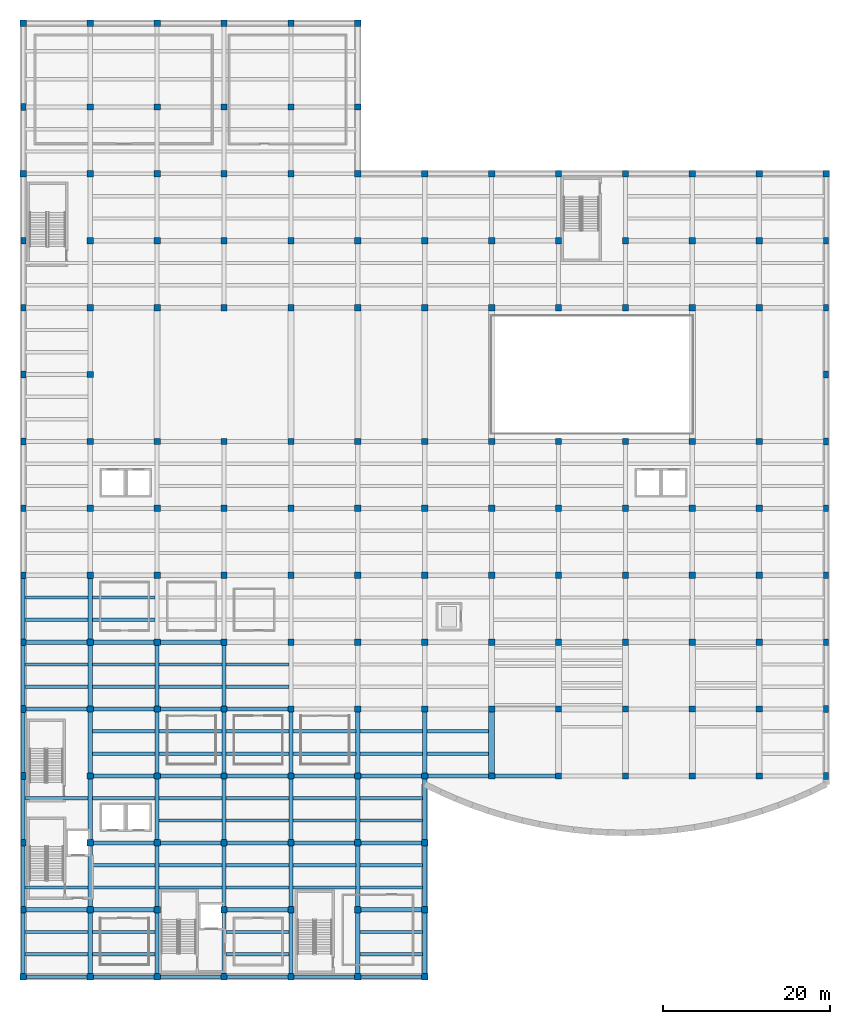
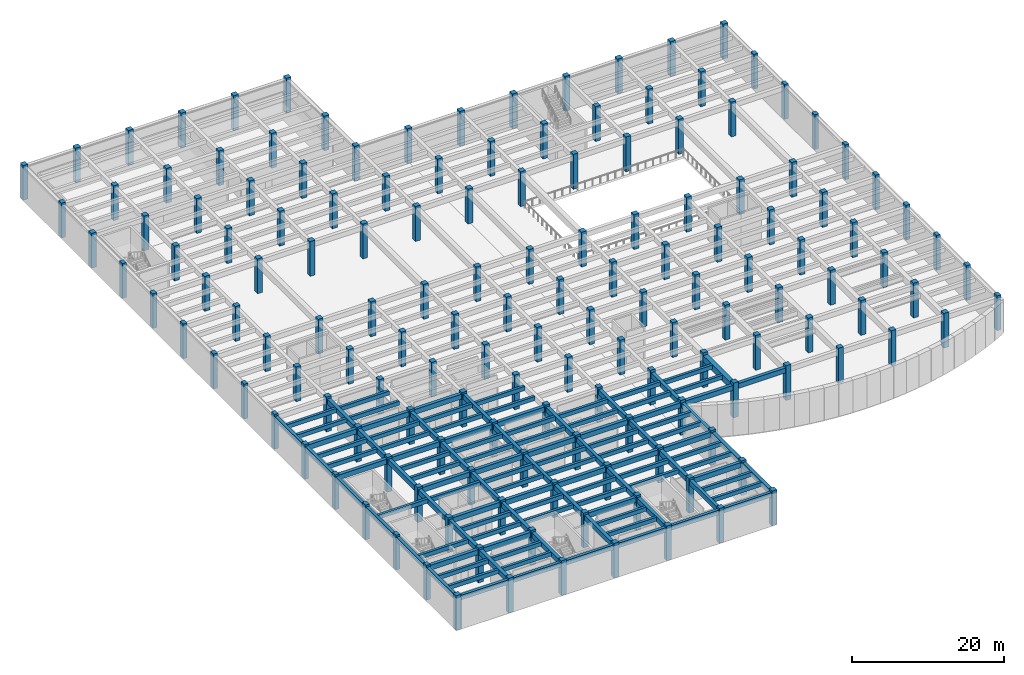
# One storey, part 1 of 19: 153 columns, 117 beams.
"""IFC4 building model written with IfcOpenShell, lengths in metres."""

from ifc_helpers import new_model, si_unit, direction, frame, origin, origin_2d, place, context, subcontext, project, spatial, rectangle, extrude, material, material_profile, profile_set, type_object, element, save


model = new_model("IFC4")

# Units and contexts
model_context = context("Model", 3, precision=1e-05, world=origin(), true_north=direction((0.0, 1.0)))
body_context = subcontext(model_context, "Body", "Model", "MODEL_VIEW")
ifc_project = project(units=[si_unit("LENGTHUNIT", "METRE"), si_unit("AREAUNIT", "SQUARE_METRE"), si_unit("VOLUMEUNIT", "CUBIC_METRE"), si_unit("PLANEANGLEUNIT", "RADIAN"), si_unit("MASSUNIT", "GRAM", prefix="KILO")], contexts=[model_context])

# Site, building, storey
site_placement = place(None, origin())
site = spatial("IfcSite", under=ifc_project, at=site_placement, CompositionType="ELEMENT")
building_placement = place(site_placement, origin())
building = spatial("IfcBuilding", under=site, at=building_placement, Name="Drelvath Fold Interchange", CompositionType="ELEMENT")
storey_placement = place(building_placement, frame((0.0, 0.0, -5.60009765625)))
storey = spatial("IfcBuildingStorey", under=building, at=storey_placement, Name="B1", CompositionType="ELEMENT", Elevation=-5.60009765625)

# Columns
ifc_material_1 = material(Name="Concrete f'c 55 MPa (8000 psi)", Category="concrete")
ifc_material_profile_1 = material_profile(ifc_material_1, rectangle(XDim=0.60009765625, YDim=0.800048828125, at=origin_2d()), Name="RC 600x800")
ifc_profile_set_1 = profile_set([ifc_material_profile_1], Name="Concrete f'c 55 MPa (8000 psi)")
column_type_1 = type_object("IfcColumnType", Name="COL-RC600", PredefinedType="PILASTER", material=ifc_profile_set_1)
for number, where, z_axis, x_axis, name in (
    (1, (4.0, 11.0, 0.0), (0.0, 0.0, 1.0), (1.0, 0.0, 0.0), "B1 column (4,11)"),
    (2, (4.0, 19.0, 0.0), (0.0, 0.0, 1.0), (1.0, 0.0, 0.0), "B1 column (4,19)"),
    (3, (4.0, 27.0, 0.0), (0.0, 0.0, 1.0), (1.0, 0.0, 0.0), "B1 column (4,27)"),
    (4, (4.0, 35.0, 0.0), (0.0, 0.0, 1.0), (1.0, 0.0, 0.0), "B1 column (4,35)"),
    (5, (4.0, 43.0, 0.0), (0.0, 0.0, 1.0), (1.0, 0.0, 0.0), "B1 column (4,43)"),
    (6, (4.0, 51.0, 0.0), (0.0, 0.0, 1.0), (1.0, 0.0, 0.0), "B1 column (4,51)"),
    (7, (4.0, 59.0, 0.0), (0.0, 0.0, 1.0), (1.0, 0.0, 0.0), "B1 column (4,59)"),
    (8, (4.0, 67.0, 0.0), (0.0, 0.0, 1.0), (1.0, 0.0, 0.0), "B1 column (4,67)"),
    (9, (4.0, 75.0, 0.0), (0.0, 0.0, 1.0), (1.0, 0.0, 0.0), "B1 column (4,75)"),
    (10, (4.0, 83.0, 0.0), (0.0, 0.0, 1.0), (1.0, 0.0, 0.0), "B1 column (4,83)"),
    (11, (4.0, 91.0, 0.0), (0.0, 0.0, 1.0), (1.0, 0.0, 0.0), "B1 column (4,91)"),
    (12, (4.0, 107.0, 0.0), (0.0, 0.0, 1.0), (1.0, 0.0, 0.0), "B1 column (4,107)"),
    (13, (100.0, 27.0, 0.0), (0.0, 0.0, 1.0), (1.0, 0.0, 0.0), "B1 column (100,27)"),
    (14, (100.0, 35.0, 0.0), (0.0, 0.0, 1.0), (1.0, 0.0, 0.0), "B1 column (100,35)"),
    (15, (100.0, 43.0, 0.0), (0.0, 0.0, 1.0), (1.0, 0.0, 0.0), "B1 column (100,43)"),
    (16, (100.0, 51.0, 0.0), (0.0, 0.0, 1.0), (1.0, 0.0, 0.0), "B1 column (100,51)"),
    (17, (100.0, 59.0, 0.0), (0.0, 0.0, 1.0), (1.0, 0.0, 0.0), "B1 column (100,59)"),
    (18, (100.0, 67.0, 0.0), (0.0, 0.0, 1.0), (1.0, 0.0, 0.0), "B1 column (100,67)"),
    (19, (100.0, 75.0, 0.0), (0.0, 0.0, 1.0), (1.0, 0.0, 0.0), "B1 column (100,75)"),
    (20, (100.0, 83.0, 0.0), (0.0, 0.0, 1.0), (1.0, 0.0, 0.0), "B1 column (100,83)"),
    (21, (100.0, 91.0, 0.0), (0.0, 0.0, 1.0), (1.0, 0.0, 0.0), "B1 column (100,91)"),
):
    element("IfcColumn", number, at=place(storey_placement, frame(where, z_axis=z_axis, x_axis=x_axis)), inside=storey, type_object=column_type_1, Name=name, PredefinedType="PILASTER", context=body_context, shape_type="SweptSolid", body=[
        extrude(rectangle(XDim=0.60009765625, YDim=0.800048828125, at=origin_2d()), origin(), (0.0, 0.0, 1.0), 5.60009765625),
    ])
ifc_material_profile_2 = material_profile(ifc_material_1, rectangle(XDim=0.75, YDim=0.75, at=origin_2d()), Name="RC 750x750")
ifc_profile_set_2 = profile_set([ifc_material_profile_2], Name="Concrete f'c 55 MPa (8000 psi)")
column_type_2 = type_object("IfcColumnType", Name="COL-RC750", PredefinedType="COLUMN", material=ifc_profile_set_2)
for number, where, z_axis, x_axis, name in (
    (22, (4.0, 3.0, 0.0), (0.0, 0.0, 1.0), (1.0, 0.0, 0.0), "B1 column (4,3)"),
    (23, (4.0, 99.0, 0.0), (0.0, 0.0, 1.0), (1.0, 0.0, 0.0), "B1 column (4,99)"),
    (24, (4.0, 117.0, 0.0), (0.0, 0.0, 1.0), (1.0, 0.0, 0.0), "B1 column (4,117)"),
    (25, (12.0, 3.0, 0.0), (0.0, 0.0, 1.0), (1.0, 0.0, 0.0), "B1 column (12,3)"),
    (26, (12.0, 11.0, 0.0), (0.0, 0.0, 1.0), (1.0, 0.0, 0.0), "B1 column (12,11)"),
    (27, (12.0, 19.0, 0.0), (0.0, 0.0, 1.0), (1.0, 0.0, 0.0), "B1 column (12,19)"),
    (28, (12.0, 27.0, 0.0), (0.0, 0.0, 1.0), (1.0, 0.0, 0.0), "B1 column (12,27)"),
    (29, (12.0, 35.0, 0.0), (0.0, 0.0, 1.0), (1.0, 0.0, 0.0), "B1 column (12,35)"),
    (30, (12.0, 43.0, 0.0), (0.0, 0.0, 1.0), (1.0, 0.0, 0.0), "B1 column (12,43)"),
    (31, (12.0, 51.0, 0.0), (0.0, 0.0, 1.0), (1.0, 0.0, 0.0), "B1 column (12,51)"),
    (32, (12.0, 59.0, 0.0), (0.0, 0.0, 1.0), (1.0, 0.0, 0.0), "B1 column (12,59)"),
    (33, (12.0, 67.0, 0.0), (0.0, 0.0, 1.0), (1.0, 0.0, 0.0), "B1 column (12,67)"),
    (34, (12.0, 75.0, 0.0), (0.0, 0.0, 1.0), (1.0, 0.0, 0.0), "B1 column (12,75)"),
    (35, (12.0, 83.0, 0.0), (0.0, 0.0, 1.0), (1.0, 0.0, 0.0), "B1 column (12,83)"),
    (36, (12.0, 91.0, 0.0), (0.0, 0.0, 1.0), (1.0, 0.0, 0.0), "B1 column (12,91)"),
    (37, (12.0, 99.0, 0.0), (0.0, 0.0, 1.0), (1.0, 0.0, 0.0), "B1 column (12,99)"),
    (38, (12.0, 107.0, 0.0), (0.0, 0.0, 1.0), (1.0, 0.0, 0.0), "B1 column (12,107)"),
    (39, (12.0, 117.0, 0.0), (0.0, 0.0, 1.0), (1.0, 0.0, 0.0), "B1 column (12,117)"),
    (40, (20.0, 3.0, 0.0), (0.0, 0.0, 1.0), (1.0, 0.0, 0.0), "B1 column (20,3)"),
    (41, (20.0, 11.0, 0.0), (0.0, 0.0, 1.0), (1.0, 0.0, 0.0), "B1 column (20,11)"),
    (42, (20.0, 19.0, 0.0), (0.0, 0.0, 1.0), (1.0, 0.0, 0.0), "B1 column (20,19)"),
    (43, (20.0, 27.0, 0.0), (0.0, 0.0, 1.0), (1.0, 0.0, 0.0), "B1 column (20,27)"),
    (44, (20.0, 35.0, 0.0), (0.0, 0.0, 1.0), (1.0, 0.0, 0.0), "B1 column (20,35)"),
    (45, (20.0, 43.0, 0.0), (0.0, 0.0, 1.0), (1.0, 0.0, 0.0), "B1 column (20,43)"),
    (46, (20.0, 51.0, 0.0), (0.0, 0.0, 1.0), (1.0, 0.0, 0.0), "B1 column (20,51)"),
    (47, (20.0, 59.0, 0.0), (0.0, 0.0, 1.0), (1.0, 0.0, 0.0), "B1 column (20,59)"),
    (48, (20.0, 67.0, 0.0), (0.0, 0.0, 1.0), (1.0, 0.0, 0.0), "B1 column (20,67)"),
    (49, (20.0, 83.0, 0.0), (0.0, 0.0, 1.0), (1.0, 0.0, 0.0), "B1 column (20,83)"),
    (50, (20.0, 91.0, 0.0), (0.0, 0.0, 1.0), (1.0, 0.0, 0.0), "B1 column (20,91)"),
    (51, (20.0, 99.0, 0.0), (0.0, 0.0, 1.0), (1.0, 0.0, 0.0), "B1 column (20,99)"),
    (52, (20.0, 107.0, 0.0), (0.0, 0.0, 1.0), (1.0, 0.0, 0.0), "B1 column (20,107)"),
    (53, (20.0, 117.0, 0.0), (0.0, 0.0, 1.0), (1.0, 0.0, 0.0), "B1 column (20,117)"),
    (54, (28.0, 3.0, 0.0), (0.0, 0.0, 1.0), (1.0, 0.0, 0.0), "B1 column (28,3)"),
    (55, (28.0, 11.0, 0.0), (0.0, 0.0, 1.0), (1.0, 0.0, 0.0), "B1 column (28,11)"),
    (56, (28.0, 19.0, 0.0), (0.0, 0.0, 1.0), (1.0, 0.0, 0.0), "B1 column (28,19)"),
    (57, (28.0, 27.0, 0.0), (0.0, 0.0, 1.0), (1.0, 0.0, 0.0), "B1 column (28,27)"),
    (58, (28.0, 35.0, 0.0), (0.0, 0.0, 1.0), (1.0, 0.0, 0.0), "B1 column (28,35)"),
    (59, (28.0, 43.0, 0.0), (0.0, 0.0, 1.0), (1.0, 0.0, 0.0), "B1 column (28,43)"),
    (60, (28.0, 51.0, 0.0), (0.0, 0.0, 1.0), (1.0, 0.0, 0.0), "B1 column (28,51)"),
    (61, (28.0, 59.0, 0.0), (0.0, 0.0, 1.0), (1.0, 0.0, 0.0), "B1 column (28,59)"),
    (62, (28.0, 67.0, 0.0), (0.0, 0.0, 1.0), (1.0, 0.0, 0.0), "B1 column (28,67)"),
    (63, (28.0, 83.0, 0.0), (0.0, 0.0, 1.0), (1.0, 0.0, 0.0), "B1 column (28,83)"),
    (64, (28.0, 91.0, 0.0), (0.0, 0.0, 1.0), (1.0, 0.0, 0.0), "B1 column (28,91)"),
    (65, (28.0, 99.0, 0.0), (0.0, 0.0, 1.0), (1.0, 0.0, 0.0), "B1 column (28,99)"),
    (66, (28.0, 107.0, 0.0), (0.0, 0.0, 1.0), (1.0, 0.0, 0.0), "B1 column (28,107)"),
    (67, (28.0, 117.0, 0.0), (0.0, 0.0, 1.0), (1.0, 0.0, 0.0), "B1 column (28,117)"),
    (68, (36.0, 3.0, 0.0), (0.0, 0.0, 1.0), (1.0, 0.0, 0.0), "B1 column (36,3)"),
    (69, (36.0, 11.0, 0.0), (0.0, 0.0, 1.0), (1.0, 0.0, 0.0), "B1 column (36,11)"),
    (70, (36.0, 19.0, 0.0), (0.0, 0.0, 1.0), (1.0, 0.0, 0.0), "B1 column (36,19)"),
    (71, (36.0, 27.0, 0.0), (0.0, 0.0, 1.0), (1.0, 0.0, 0.0), "B1 column (36,27)"),
    (72, (36.0, 35.0, 0.0), (0.0, 0.0, 1.0), (1.0, 0.0, 0.0), "B1 column (36,35)"),
    (73, (36.0, 43.0, 0.0), (0.0, 0.0, 1.0), (1.0, 0.0, 0.0), "B1 column (36,43)"),
    (74, (36.0, 51.0, 0.0), (0.0, 0.0, 1.0), (1.0, 0.0, 0.0), "B1 column (36,51)"),
    (75, (36.0, 59.0, 0.0), (0.0, 0.0, 1.0), (1.0, 0.0, 0.0), "B1 column (36,59)"),
    (76, (36.0, 67.0, 0.0), (0.0, 0.0, 1.0), (1.0, 0.0, 0.0), "B1 column (36,67)"),
    (77, (36.0, 83.0, 0.0), (0.0, 0.0, 1.0), (1.0, 0.0, 0.0), "B1 column (36,83)"),
    (78, (36.0, 91.0, 0.0), (0.0, 0.0, 1.0), (1.0, 0.0, 0.0), "B1 column (36,91)"),
    (79, (36.0, 99.0, 0.0), (0.0, 0.0, 1.0), (1.0, 0.0, 0.0), "B1 column (36,99)"),
    (80, (36.0, 107.0, 0.0), (0.0, 0.0, 1.0), (1.0, 0.0, 0.0), "B1 column (36,107)"),
    (81, (36.0, 117.0, 0.0), (0.0, 0.0, 1.0), (1.0, 0.0, 0.0), "B1 column (36,117)"),
    (82, (44.0, 3.0, 0.0), (0.0, 0.0, 1.0), (1.0, 0.0, 0.0), "B1 column (44,3)"),
    (83, (44.0, 11.0, 0.0), (0.0, 0.0, 1.0), (1.0, 0.0, 0.0), "B1 column (44,11)"),
    (84, (44.0, 19.0, 0.0), (0.0, 0.0, 1.0), (1.0, 0.0, 0.0), "B1 column (44,19)"),
    (85, (44.0, 27.0, 0.0), (0.0, 0.0, 1.0), (1.0, 0.0, 0.0), "B1 column (44,27)"),
    (86, (44.0, 35.0, 0.0), (0.0, 0.0, 1.0), (1.0, 0.0, 0.0), "B1 column (44,35)"),
    (87, (44.0, 43.0, 0.0), (0.0, 0.0, 1.0), (1.0, 0.0, 0.0), "B1 column (44,43)"),
    (88, (44.0, 51.0, 0.0), (0.0, 0.0, 1.0), (1.0, 0.0, 0.0), "B1 column (44,51)"),
    (89, (44.0, 59.0, 0.0), (0.0, 0.0, 1.0), (1.0, 0.0, 0.0), "B1 column (44,59)"),
    (90, (44.0, 67.0, 0.0), (0.0, 0.0, 1.0), (1.0, 0.0, 0.0), "B1 column (44,67)"),
    (91, (44.0, 83.0, 0.0), (0.0, 0.0, 1.0), (1.0, 0.0, 0.0), "B1 column (44,83)"),
    (92, (44.0, 91.0, 0.0), (0.0, 0.0, 1.0), (1.0, 0.0, 0.0), "B1 column (44,91)"),
    (93, (44.0, 99.0, 0.0), (0.0, 0.0, 1.0), (1.0, 0.0, 0.0), "B1 column (44,99)"),
    (94, (44.0, 107.0, 0.0), (0.0, 0.0, 1.0), (1.0, 0.0, 0.0), "B1 column (44,107)"),
    (95, (44.0, 117.0, 0.0), (0.0, 0.0, 1.0), (1.0, 0.0, 0.0), "B1 column (44,117)"),
    (96, (52.0, 3.0, 0.0), (0.0, 0.0, 1.0), (1.0, 0.0, 0.0), "B1 column (52,3)"),
    (97, (52.0, 11.0, 0.0), (0.0, 0.0, 1.0), (1.0, 0.0, 0.0), "B1 column (52,11)"),
    (98, (52.0, 19.0, 0.0), (0.0, 0.0, 1.0), (1.0, 0.0, 0.0), "B1 column (52,19)"),
    (99, (52.0, 27.0, 0.0), (0.0, 0.0, 1.0), (1.0, 0.0, 0.0), "B1 column (52,27)"),
    (100, (52.0, 35.0, 0.0), (0.0, 0.0, 1.0), (1.0, 0.0, 0.0), "B1 column (52,35)"),
    (101, (52.0, 43.0, 0.0), (0.0, 0.0, 1.0), (1.0, 0.0, 0.0), "B1 column (52,43)"),
    (102, (52.0, 51.0, 0.0), (0.0, 0.0, 1.0), (1.0, 0.0, 0.0), "B1 column (52,51)"),
    (103, (52.0, 59.0, 0.0), (0.0, 0.0, 1.0), (1.0, 0.0, 0.0), "B1 column (52,59)"),
    (104, (52.0, 67.0, 0.0), (0.0, 0.0, 1.0), (1.0, 0.0, 0.0), "B1 column (52,67)"),
    (105, (52.0, 83.0, 0.0), (0.0, 0.0, 1.0), (1.0, 0.0, 0.0), "B1 column (52,83)"),
    (106, (52.0, 91.0, 0.0), (0.0, 0.0, 1.0), (1.0, 0.0, 0.0), "B1 column (52,91)"),
    (107, (52.0, 99.0, 0.0), (0.0, 0.0, 1.0), (1.0, 0.0, 0.0), "B1 column (52,99)"),
    (108, (60.0, 27.0, 0.0), (0.0, 0.0, 1.0), (1.0, 0.0, 0.0), "B1 column (60,27)"),
    (109, (60.0, 35.0, 0.0), (0.0, 0.0, 1.0), (1.0, 0.0, 0.0), "B1 column (60,35)"),
    (110, (60.0, 43.0, 0.0), (0.0, 0.0, 1.0), (1.0, 0.0, 0.0), "B1 column (60,43)"),
    (111, (60.0, 51.0, 0.0), (0.0, 0.0, 1.0), (1.0, 0.0, 0.0), "B1 column (60,51)"),
    (112, (60.0, 59.0, 0.0), (0.0, 0.0, 1.0), (1.0, 0.0, 0.0), "B1 column (60,59)"),
    (113, (60.0, 67.0, 0.0), (0.0, 0.0, 1.0), (1.0, 0.0, 0.0), "B1 column (60,67)"),
    (114, (60.0, 83.0, 0.0), (0.0, 0.0, 1.0), (1.0, 0.0, 0.0), "B1 column (60,83)"),
    (115, (60.0, 91.0, 0.0), (0.0, 0.0, 1.0), (1.0, 0.0, 0.0), "B1 column (60,91)"),
    (116, (60.0, 99.0, 0.0), (0.0, 0.0, 1.0), (1.0, 0.0, 0.0), "B1 column (60,99)"),
    (117, (68.0, 27.0, 0.0), (0.0, 0.0, 1.0), (1.0, 0.0, 0.0), "B1 column (68,27)"),
    (118, (68.0, 35.0, 0.0), (0.0, 0.0, 1.0), (1.0, 0.0, 0.0), "B1 column (68,35)"),
    (119, (68.0, 43.0, 0.0), (0.0, 0.0, 1.0), (1.0, 0.0, 0.0), "B1 column (68,43)"),
    (120, (68.0, 51.0, 0.0), (0.0, 0.0, 1.0), (1.0, 0.0, 0.0), "B1 column (68,51)"),
    (121, (68.0, 59.0, 0.0), (0.0, 0.0, 1.0), (1.0, 0.0, 0.0), "B1 column (68,59)"),
    (122, (68.0, 67.0, 0.0), (0.0, 0.0, 1.0), (1.0, 0.0, 0.0), "B1 column (68,67)"),
    (123, (68.0, 83.0, 0.0), (0.0, 0.0, 1.0), (1.0, 0.0, 0.0), "B1 column (68,83)"),
    (124, (68.0, 91.0, 0.0), (0.0, 0.0, 1.0), (1.0, 0.0, 0.0), "B1 column (68,91)"),
    (125, (68.0, 99.0, 0.0), (0.0, 0.0, 1.0), (1.0, 0.0, 0.0), "B1 column (68,99)"),
    (126, (76.0, 27.0, 0.0), (0.0, 0.0, 1.0), (1.0, 0.0, 0.0), "B1 column (76,27)"),
    (127, (76.0, 35.0, 0.0), (0.0, 0.0, 1.0), (1.0, 0.0, 0.0), "B1 column (76,35)"),
    (128, (76.0, 43.0, 0.0), (0.0, 0.0, 1.0), (1.0, 0.0, 0.0), "B1 column (76,43)"),
    (129, (76.0, 51.0, 0.0), (0.0, 0.0, 1.0), (1.0, 0.0, 0.0), "B1 column (76,51)"),
    (130, (76.0, 59.0, 0.0), (0.0, 0.0, 1.0), (1.0, 0.0, 0.0), "B1 column (76,59)"),
    (131, (76.0, 67.0, 0.0), (0.0, 0.0, 1.0), (1.0, 0.0, 0.0), "B1 column (76,67)"),
    (132, (76.0, 83.0, 0.0), (0.0, 0.0, 1.0), (1.0, 0.0, 0.0), "B1 column (76,83)"),
    (133, (76.0, 91.0, 0.0), (0.0, 0.0, 1.0), (1.0, 0.0, 0.0), "B1 column (76,91)"),
    (134, (76.0, 99.0, 0.0), (0.0, 0.0, 1.0), (1.0, 0.0, 0.0), "B1 column (76,99)"),
    (135, (84.0, 27.0, 0.0), (0.0, 0.0, 1.0), (1.0, 0.0, 0.0), "B1 column (84,27)"),
    (136, (84.0, 35.0, 0.0), (0.0, 0.0, 1.0), (1.0, 0.0, 0.0), "B1 column (84,35)"),
    (137, (84.0, 43.0, 0.0), (0.0, 0.0, 1.0), (1.0, 0.0, 0.0), "B1 column (84,43)"),
    (138, (84.0, 51.0, 0.0), (0.0, 0.0, 1.0), (1.0, 0.0, 0.0), "B1 column (84,51)"),
    (139, (84.0, 59.0, 0.0), (0.0, 0.0, 1.0), (1.0, 0.0, 0.0), "B1 column (84,59)"),
    (140, (84.0, 67.0, 0.0), (0.0, 0.0, 1.0), (1.0, 0.0, 0.0), "B1 column (84,67)"),
    (141, (84.0, 83.0, 0.0), (0.0, 0.0, 1.0), (1.0, 0.0, 0.0), "B1 column (84,83)"),
    (142, (84.0, 91.0, 0.0), (0.0, 0.0, 1.0), (1.0, 0.0, 0.0), "B1 column (84,91)"),
    (143, (84.0, 99.0, 0.0), (0.0, 0.0, 1.0), (1.0, 0.0, 0.0), "B1 column (84,99)"),
    (144, (92.0, 27.0, 0.0), (0.0, 0.0, 1.0), (1.0, 0.0, 0.0), "B1 column (92,27)"),
    (145, (92.0, 35.0, 0.0), (0.0, 0.0, 1.0), (1.0, 0.0, 0.0), "B1 column (92,35)"),
    (146, (92.0, 43.0, 0.0), (0.0, 0.0, 1.0), (1.0, 0.0, 0.0), "B1 column (92,43)"),
    (147, (92.0, 51.0, 0.0), (0.0, 0.0, 1.0), (1.0, 0.0, 0.0), "B1 column (92,51)"),
    (148, (92.0, 59.0, 0.0), (0.0, 0.0, 1.0), (1.0, 0.0, 0.0), "B1 column (92,59)"),
    (149, (92.0, 67.0, 0.0), (0.0, 0.0, 1.0), (1.0, 0.0, 0.0), "B1 column (92,67)"),
    (150, (92.0, 83.0, 0.0), (0.0, 0.0, 1.0), (1.0, 0.0, 0.0), "B1 column (92,83)"),
    (151, (92.0, 91.0, 0.0), (0.0, 0.0, 1.0), (1.0, 0.0, 0.0), "B1 column (92,91)"),
    (152, (92.0, 99.0, 0.0), (0.0, 0.0, 1.0), (1.0, 0.0, 0.0), "B1 column (92,99)"),
    (153, (100.0, 99.0, 0.0), (0.0, 0.0, 1.0), (1.0, 0.0, 0.0), "B1 column (100,99)"),
):
    element("IfcColumn", number, at=place(storey_placement, frame(where, z_axis=z_axis, x_axis=x_axis)), inside=storey, type_object=column_type_2, Name=name, PredefinedType="COLUMN", context=body_context, shape_type="SweptSolid", body=[
        extrude(rectangle(XDim=0.75, YDim=0.75, at=origin_2d()), origin(), (0.0, 0.0, 1.0), 5.60009765625),
    ])

# Beams
ifc_material_2 = material(Name="Concrete f'c 45 MPa (6500 psi)", Category="concrete")
ifc_material_profile_3 = material_profile(ifc_material_2, rectangle(XDim=0.39990234375, YDim=0.64990234375, at=origin_2d()), Name="RC 400x650")
ifc_profile_set_3 = profile_set([ifc_material_profile_3], Name="Concrete f'c 45 MPa (6500 psi)")
beam_type_1 = type_object("IfcBeamType", Name="BM-RC400", PredefinedType="JOIST", material=ifc_profile_set_3)
for number, where, z_axis, x_axis, name in (
    (154, (4.222900390625, 5.6669921875, 4.955078125), (1.0, 0.0, 0.0), (0.0, 1.0, 0.0), "B1 Secondary floor joist BM-RC400"),
    (155, (4.222900390625, 8.3330078125, 4.955078125), (1.0, 0.0, 0.0), (0.0, 1.0, 0.0), "B1 Secondary floor joist BM-RC400"),
    (156, (4.222900390625, 13.6669921875, 4.955078125), (1.0, 0.0, 0.0), (0.0, 1.0, 0.0), "B1 Secondary floor joist BM-RC400"),
    (157, (4.222900390625, 24.3330078125, 4.955078125), (1.0, 0.0, 0.0), (0.0, 1.0, 0.0), "B1 Secondary floor joist BM-RC400"),
    (158, (4.222900390625, 37.6669921875, 4.955078125), (1.0, 0.0, 0.0), (0.0, 1.0, 0.0), "B1 Secondary floor joist BM-RC400"),
    (159, (4.222900390625, 40.3330078125, 4.955078125), (1.0, 0.0, 0.0), (0.0, 1.0, 0.0), "B1 Secondary floor joist BM-RC400"),
    (160, (4.222900390625, 45.6669921875, 4.955078125), (1.0, 0.0, 0.0), (0.0, 1.0, 0.0), "B1 Secondary floor joist BM-RC400"),
    (161, (4.222900390625, 48.3330078125, 4.955078125), (1.0, 0.0, 0.0), (0.0, 1.0, 0.0), "B1 Secondary floor joist BM-RC400"),
):
    element("IfcBeam", number, at=place(storey_placement, frame(where, z_axis=z_axis, x_axis=x_axis)), inside=storey, type_object=beam_type_1, Name=name, PredefinedType="JOIST", context=body_context, shape_type="SweptSolid", body=[
        extrude(rectangle(XDim=0.39990234375, YDim=0.64990234375, at=origin_2d()), origin(), (0.0, 0.0, 1.0), 7.529052734375),
    ])
for number, where, z_axis, x_axis, name in (
    (162, (12.248046875, 5.6669921875, 4.955078125), (1.0, 0.0, 0.0), (0.0, 1.0, 0.0), "B1 Secondary floor joist BM-RC400"),
    (163, (12.248046875, 8.3330078125, 4.955078125), (1.0, 0.0, 0.0), (0.0, 1.0, 0.0), "B1 Secondary floor joist BM-RC400"),
    (164, (12.248046875, 13.6669921875, 4.955078125), (1.0, 0.0, 0.0), (0.0, 1.0, 0.0), "B1 Secondary floor joist BM-RC400"),
    (165, (12.248046875, 16.3330078125, 4.955078125), (1.0, 0.0, 0.0), (0.0, 1.0, 0.0), "B1 Secondary floor joist BM-RC400"),
    (166, (12.248046875, 24.3330078125, 4.955078125), (1.0, 0.0, 0.0), (0.0, 1.0, 0.0), "B1 Secondary floor joist BM-RC400"),
    (167, (12.248046875, 29.6669921875, 4.955078125), (1.0, 0.0, 0.0), (0.0, 1.0, 0.0), "B1 Secondary floor joist BM-RC400"),
    (168, (12.248046875, 32.3330078125, 4.955078125), (1.0, 0.0, 0.0), (0.0, 1.0, 0.0), "B1 Secondary floor joist BM-RC400"),
    (169, (12.248046875, 37.6669921875, 4.955078125), (1.0, 0.0, 0.0), (0.0, 1.0, 0.0), "B1 Secondary floor joist BM-RC400"),
    (170, (12.248046875, 40.3330078125, 4.955078125), (1.0, 0.0, 0.0), (0.0, 1.0, 0.0), "B1 Secondary floor joist BM-RC400"),
    (171, (12.248046875, 45.6669921875, 4.955078125), (1.0, 0.0, 0.0), (0.0, 1.0, 0.0), "B1 Secondary floor joist BM-RC400"),
    (172, (12.248046875, 48.3330078125, 4.955078125), (1.0, 0.0, 0.0), (0.0, 1.0, 0.0), "B1 Secondary floor joist BM-RC400"),
    (173, (20.248046875, 13.6669921875, 4.955078125), (1.0, 0.0, 0.0), (0.0, 1.0, 0.0), "B1 Secondary floor joist BM-RC400"),
    (174, (20.248046875, 16.3330078125, 4.955078125), (1.0, 0.0, 0.0), (0.0, 1.0, 0.0), "B1 Secondary floor joist BM-RC400"),
    (175, (20.248046875, 21.6669921875, 4.955078125), (1.0, 0.0, 0.0), (0.0, 1.0, 0.0), "B1 Secondary floor joist BM-RC400"),
    (176, (20.248046875, 24.3330078125, 4.955078125), (1.0, 0.0, 0.0), (0.0, 1.0, 0.0), "B1 Secondary floor joist BM-RC400"),
    (177, (20.248046875, 29.6669921875, 4.955078125), (1.0, 0.0, 0.0), (0.0, 1.0, 0.0), "B1 Secondary floor joist BM-RC400"),
    (178, (20.248046875, 32.3330078125, 4.955078125), (1.0, 0.0, 0.0), (0.0, 1.0, 0.0), "B1 Secondary floor joist BM-RC400"),
    (179, (20.248046875, 37.6669921875, 4.955078125), (1.0, 0.0, 0.0), (0.0, 1.0, 0.0), "B1 Secondary floor joist BM-RC400"),
    (180, (20.248046875, 40.3330078125, 4.955078125), (1.0, 0.0, 0.0), (0.0, 1.0, 0.0), "B1 Secondary floor joist BM-RC400"),
    (181, (28.248046875, 5.6669921875, 4.955078125), (1.0, 0.0, 0.0), (0.0, 1.0, 0.0), "B1 Secondary floor joist BM-RC400"),
    (182, (28.248046875, 8.3330078125, 4.955078125), (1.0, 0.0, 0.0), (0.0, 1.0, 0.0), "B1 Secondary floor joist BM-RC400"),
    (183, (28.248046875, 13.6669921875, 4.955078125), (1.0, 0.0, 0.0), (0.0, 1.0, 0.0), "B1 Secondary floor joist BM-RC400"),
    (184, (28.248046875, 16.3330078125, 4.955078125), (1.0, 0.0, 0.0), (0.0, 1.0, 0.0), "B1 Secondary floor joist BM-RC400"),
    (185, (28.248046875, 21.6669921875, 4.955078125), (1.0, 0.0, 0.0), (0.0, 1.0, 0.0), "B1 Secondary floor joist BM-RC400"),
    (186, (28.248046875, 24.3330078125, 4.955078125), (1.0, 0.0, 0.0), (0.0, 1.0, 0.0), "B1 Secondary floor joist BM-RC400"),
    (187, (28.248046875, 29.6669921875, 4.955078125), (1.0, 0.0, 0.0), (0.0, 1.0, 0.0), "B1 Secondary floor joist BM-RC400"),
    (188, (28.248046875, 32.3330078125, 4.955078125), (1.0, 0.0, 0.0), (0.0, 1.0, 0.0), "B1 Secondary floor joist BM-RC400"),
    (189, (28.248046875, 37.6669921875, 4.955078125), (1.0, 0.0, 0.0), (0.0, 1.0, 0.0), "B1 Secondary floor joist BM-RC400"),
    (190, (28.248046875, 40.3330078125, 4.955078125), (1.0, 0.0, 0.0), (0.0, 1.0, 0.0), "B1 Secondary floor joist BM-RC400"),
    (191, (36.248046875, 13.6669921875, 4.955078125), (1.0, 0.0, 0.0), (0.0, 1.0, 0.0), "B1 Secondary floor joist BM-RC400"),
    (192, (36.248046875, 16.3330078125, 4.955078125), (1.0, 0.0, 0.0), (0.0, 1.0, 0.0), "B1 Secondary floor joist BM-RC400"),
    (193, (36.248046875, 21.6669921875, 4.955078125), (1.0, 0.0, 0.0), (0.0, 1.0, 0.0), "B1 Secondary floor joist BM-RC400"),
    (194, (36.248046875, 24.3330078125, 4.955078125), (1.0, 0.0, 0.0), (0.0, 1.0, 0.0), "B1 Secondary floor joist BM-RC400"),
    (195, (36.248046875, 29.6669921875, 4.955078125), (1.0, 0.0, 0.0), (0.0, 1.0, 0.0), "B1 Secondary floor joist BM-RC400"),
    (196, (36.248046875, 32.3330078125, 4.955078125), (1.0, 0.0, 0.0), (0.0, 1.0, 0.0), "B1 Secondary floor joist BM-RC400"),
    (197, (44.248046875, 5.6669921875, 4.955078125), (1.0, 0.0, 0.0), (0.0, 1.0, 0.0), "B1 Secondary floor joist BM-RC400"),
    (198, (44.248046875, 8.3330078125, 4.955078125), (1.0, 0.0, 0.0), (0.0, 1.0, 0.0), "B1 Secondary floor joist BM-RC400"),
    (199, (44.248046875, 13.6669921875, 4.955078125), (1.0, 0.0, 0.0), (0.0, 1.0, 0.0), "B1 Secondary floor joist BM-RC400"),
    (200, (44.248046875, 16.3330078125, 4.955078125), (1.0, 0.0, 0.0), (0.0, 1.0, 0.0), "B1 Secondary floor joist BM-RC400"),
    (201, (44.248046875, 21.6669921875, 4.955078125), (1.0, 0.0, 0.0), (0.0, 1.0, 0.0), "B1 Secondary floor joist BM-RC400"),
    (202, (44.248046875, 24.3330078125, 4.955078125), (1.0, 0.0, 0.0), (0.0, 1.0, 0.0), "B1 Secondary floor joist BM-RC400"),
    (203, (44.248046875, 29.6669921875, 4.955078125), (1.0, 0.0, 0.0), (0.0, 1.0, 0.0), "B1 Secondary floor joist BM-RC400"),
    (204, (44.248046875, 32.3330078125, 4.955078125), (1.0, 0.0, 0.0), (0.0, 1.0, 0.0), "B1 Secondary floor joist BM-RC400"),
):
    element("IfcBeam", number, at=place(storey_placement, frame(where, z_axis=z_axis, x_axis=x_axis)), inside=storey, type_object=beam_type_1, Name=name, PredefinedType="JOIST", context=body_context, shape_type="SweptSolid", body=[
        extrude(rectangle(XDim=0.39990234375, YDim=0.64990234375, at=origin_2d()), origin(), (0.0, 0.0, 1.0), 7.50390625),
    ])
for number, where, z_axis, x_axis, name in (
    (205, (52.248046875, 29.6669921875, 4.85498046875), (1.0, 0.0, 0.0), (0.0, 1.0, 0.0), "B1 Secondary floor joist BM-RC400"),
    (206, (52.248046875, 32.3330078125, 4.85498046875), (1.0, 0.0, 0.0), (0.0, 1.0, 0.0), "B1 Secondary floor joist BM-RC400"),
):
    element("IfcBeam", number, at=place(storey_placement, frame(where, z_axis=z_axis, x_axis=x_axis)), inside=storey, type_object=beam_type_1, Name=name, PredefinedType="JOIST", context=body_context, shape_type="SweptSolid", body=[
        extrude(rectangle(XDim=0.39990234375, YDim=0.64990234375, at=origin_2d()), origin(), (0.0, 0.0, 1.0), 7.404052734375),
    ])
ifc_material_profile_4 = material_profile(ifc_material_2, rectangle(XDim=0.449951171875, YDim=0.75, at=origin_2d()), Name="RC 450x750")
ifc_profile_set_4 = profile_set([ifc_material_profile_4], Name="Concrete f'c 45 MPa (6500 psi)")
beam_type_2 = type_object("IfcBeamType", Name="BM-RC450", PredefinedType="SPANDREL", material=ifc_profile_set_4)
for number, where, z_axis, x_axis, name in (
    (207, (4.06005859375, 3.0, 4.905029296875), (1.0, 0.0, 0.0), (0.0, 1.0, 0.0), "B1 Primary X girder BM-RC450"),
    (208, (12.06005859375, 3.0, 4.905029296875), (1.0, 0.0, 0.0), (0.0, 1.0, 0.0), "B1 Primary X girder BM-RC450"),
    (209, (20.06005859375, 3.0, 4.905029296875), (1.0, 0.0, 0.0), (0.0, 1.0, 0.0), "B1 Primary X girder BM-RC450"),
    (210, (28.06005859375, 3.0, 4.905029296875), (1.0, 0.0, 0.0), (0.0, 1.0, 0.0), "B1 Primary X girder BM-RC450"),
    (211, (36.06005859375, 3.0, 4.905029296875), (1.0, 0.0, 0.0), (0.0, 1.0, 0.0), "B1 Primary X girder BM-RC450"),
    (212, (44.06005859375, 3.0, 4.905029296875), (1.0, 0.0, 0.0), (0.0, 1.0, 0.0), "B1 Primary X girder BM-RC450"),
    (213, (4.0, 3.06005859375, 4.905029296875), (0.0, 1.0, 0.0), (-1.0, 0.0, 0.0), "B1 Primary Y girder BM-RC450"),
    (214, (4.0, 11.06005859375, 4.905029296875), (0.0, 1.0, 0.0), (-1.0, 0.0, 0.0), "B1 Primary Y girder BM-RC450"),
    (215, (4.0, 19.06005859375, 4.905029296875), (0.0, 1.0, 0.0), (-1.0, 0.0, 0.0), "B1 Primary Y girder BM-RC450"),
    (216, (4.0, 27.06005859375, 4.905029296875), (0.0, 1.0, 0.0), (-1.0, 0.0, 0.0), "B1 Primary Y girder BM-RC450"),
    (217, (4.0, 35.06005859375, 4.905029296875), (0.0, 1.0, 0.0), (-1.0, 0.0, 0.0), "B1 Primary Y girder BM-RC450"),
    (218, (4.0, 43.06005859375, 4.905029296875), (0.0, 1.0, 0.0), (-1.0, 0.0, 0.0), "B1 Primary Y girder BM-RC450"),
):
    element("IfcBeam", number, at=place(storey_placement, frame(where, z_axis=z_axis, x_axis=x_axis)), inside=storey, type_object=beam_type_2, Name=name, PredefinedType="SPANDREL", context=body_context, shape_type="SweptSolid", body=[
        extrude(rectangle(XDim=0.449951171875, YDim=0.75, at=origin_2d()), origin(), (0.0, 0.0, 1.0), 7.8798828125),
    ])
ifc_material_profile_5 = material_profile(ifc_material_2, rectangle(XDim=0.5, YDim=0.800048828125, at=origin_2d()), Name="RC 500x800")
ifc_profile_set_5 = profile_set([ifc_material_profile_5], Name="Concrete f'c 45 MPa (6500 psi)")
beam_type_3 = type_object("IfcBeamType", Name="BM-RC500", PredefinedType="BEAM", material=ifc_profile_set_5)
for number, where, z_axis, x_axis, name in (
    (219, (4.06005859375, 11.0, 4.880126953125), (1.0, 0.0, 0.0), (0.0, 1.0, 0.0), "B1 Primary X girder BM-RC500"),
    (220, (12.06005859375, 11.0, 4.880126953125), (1.0, 0.0, 0.0), (0.0, 1.0, 0.0), "B1 Primary X girder BM-RC500"),
    (221, (28.06005859375, 11.0, 4.880126953125), (1.0, 0.0, 0.0), (0.0, 1.0, 0.0), "B1 Primary X girder BM-RC500"),
    (222, (44.06005859375, 11.0, 4.880126953125), (1.0, 0.0, 0.0), (0.0, 1.0, 0.0), "B1 Primary X girder BM-RC500"),
    (223, (12.06005859375, 19.0, 4.880126953125), (1.0, 0.0, 0.0), (0.0, 1.0, 0.0), "B1 Primary X girder BM-RC500"),
    (224, (20.06005859375, 19.0, 4.880126953125), (1.0, 0.0, 0.0), (0.0, 1.0, 0.0), "B1 Primary X girder BM-RC500"),
    (225, (28.06005859375, 19.0, 4.880126953125), (1.0, 0.0, 0.0), (0.0, 1.0, 0.0), "B1 Primary X girder BM-RC500"),
    (226, (36.06005859375, 19.0, 4.880126953125), (1.0, 0.0, 0.0), (0.0, 1.0, 0.0), "B1 Primary X girder BM-RC500"),
    (227, (44.06005859375, 19.0, 4.880126953125), (1.0, 0.0, 0.0), (0.0, 1.0, 0.0), "B1 Primary X girder BM-RC500"),
    (228, (12.06005859375, 27.0, 4.880126953125), (1.0, 0.0, 0.0), (0.0, 1.0, 0.0), "B1 Primary X girder BM-RC500"),
    (229, (20.06005859375, 27.0, 4.880126953125), (1.0, 0.0, 0.0), (0.0, 1.0, 0.0), "B1 Primary X girder BM-RC500"),
    (230, (28.06005859375, 27.0, 4.880126953125), (1.0, 0.0, 0.0), (0.0, 1.0, 0.0), "B1 Primary X girder BM-RC500"),
    (231, (36.06005859375, 27.0, 4.880126953125), (1.0, 0.0, 0.0), (0.0, 1.0, 0.0), "B1 Primary X girder BM-RC500"),
    (232, (44.06005859375, 27.0, 4.780029296875), (1.0, 0.0, 0.0), (0.0, 1.0, 0.0), "B1 Primary X girder BM-RC500"),
    (233, (52.06005859375, 27.0, 4.780029296875), (1.0, 0.0, 0.0), (0.0, 1.0, 0.0), "B1 Primary X girder BM-RC500"),
    (234, (60.06005859375, 27.0, 4.780029296875), (1.0, 0.0, 0.0), (0.0, 1.0, 0.0), "B1 Primary X girder BM-RC500"),
    (235, (4.06005859375, 35.0, 4.880126953125), (1.0, 0.0, 0.0), (0.0, 1.0, 0.0), "B1 Primary X girder BM-RC500"),
    (236, (12.06005859375, 35.0, 4.880126953125), (1.0, 0.0, 0.0), (0.0, 1.0, 0.0), "B1 Primary X girder BM-RC500"),
    (237, (20.06005859375, 35.0, 4.880126953125), (1.0, 0.0, 0.0), (0.0, 1.0, 0.0), "B1 Primary X girder BM-RC500"),
    (238, (28.06005859375, 35.0, 4.880126953125), (1.0, 0.0, 0.0), (0.0, 1.0, 0.0), "B1 Primary X girder BM-RC500"),
    (239, (4.06005859375, 43.0, 4.880126953125), (1.0, 0.0, 0.0), (0.0, 1.0, 0.0), "B1 Primary X girder BM-RC500"),
    (240, (12.06005859375, 43.0, 4.880126953125), (1.0, 0.0, 0.0), (0.0, 1.0, 0.0), "B1 Primary X girder BM-RC500"),
    (241, (20.06005859375, 43.0, 4.880126953125), (1.0, 0.0, 0.0), (0.0, 1.0, 0.0), "B1 Primary X girder BM-RC500"),
    (242, (12.0, 3.06005859375, 4.880126953125), (0.0, 1.0, 0.0), (-1.0, 0.0, 0.0), "B1 Primary Y girder BM-RC500"),
    (243, (12.0, 11.06005859375, 4.880126953125), (0.0, 1.0, 0.0), (-1.0, 0.0, 0.0), "B1 Primary Y girder BM-RC500"),
    (244, (12.0, 19.06005859375, 4.880126953125), (0.0, 1.0, 0.0), (-1.0, 0.0, 0.0), "B1 Primary Y girder BM-RC500"),
    (245, (12.0, 27.06005859375, 4.880126953125), (0.0, 1.0, 0.0), (-1.0, 0.0, 0.0), "B1 Primary Y girder BM-RC500"),
    (246, (12.0, 35.06005859375, 4.880126953125), (0.0, 1.0, 0.0), (-1.0, 0.0, 0.0), "B1 Primary Y girder BM-RC500"),
    (247, (12.0, 43.06005859375, 4.880126953125), (0.0, 1.0, 0.0), (-1.0, 0.0, 0.0), "B1 Primary Y girder BM-RC500"),
    (248, (20.0, 3.06005859375, 4.880126953125), (0.0, 1.0, 0.0), (-1.0, 0.0, 0.0), "B1 Primary Y girder BM-RC500"),
    (249, (20.0, 11.06005859375, 4.880126953125), (0.0, 1.0, 0.0), (-1.0, 0.0, 0.0), "B1 Primary Y girder BM-RC500"),
    (250, (20.0, 19.06005859375, 4.880126953125), (0.0, 1.0, 0.0), (-1.0, 0.0, 0.0), "B1 Primary Y girder BM-RC500"),
    (251, (20.0, 27.06005859375, 4.880126953125), (0.0, 1.0, 0.0), (-1.0, 0.0, 0.0), "B1 Primary Y girder BM-RC500"),
    (252, (20.0, 35.06005859375, 4.880126953125), (0.0, 1.0, 0.0), (-1.0, 0.0, 0.0), "B1 Primary Y girder BM-RC500"),
    (253, (28.0, 3.06005859375, 4.880126953125), (0.0, 1.0, 0.0), (-1.0, 0.0, 0.0), "B1 Primary Y girder BM-RC500"),
    (254, (28.0, 11.06005859375, 4.880126953125), (0.0, 1.0, 0.0), (-1.0, 0.0, 0.0), "B1 Primary Y girder BM-RC500"),
    (255, (28.0, 19.06005859375, 4.880126953125), (0.0, 1.0, 0.0), (-1.0, 0.0, 0.0), "B1 Primary Y girder BM-RC500"),
    (256, (28.0, 27.06005859375, 4.880126953125), (0.0, 1.0, 0.0), (-1.0, 0.0, 0.0), "B1 Primary Y girder BM-RC500"),
    (257, (28.0, 35.06005859375, 4.880126953125), (0.0, 1.0, 0.0), (-1.0, 0.0, 0.0), "B1 Primary Y girder BM-RC500"),
    (258, (36.0, 3.06005859375, 4.880126953125), (0.0, 1.0, 0.0), (-1.0, 0.0, 0.0), "B1 Primary Y girder BM-RC500"),
    (259, (36.0, 11.06005859375, 4.880126953125), (0.0, 1.0, 0.0), (-1.0, 0.0, 0.0), "B1 Primary Y girder BM-RC500"),
    (260, (36.0, 19.06005859375, 4.880126953125), (0.0, 1.0, 0.0), (-1.0, 0.0, 0.0), "B1 Primary Y girder BM-RC500"),
    (261, (36.0, 27.06005859375, 4.880126953125), (0.0, 1.0, 0.0), (-1.0, 0.0, 0.0), "B1 Primary Y girder BM-RC500"),
    (262, (44.0, 3.06005859375, 4.880126953125), (0.0, 1.0, 0.0), (-1.0, 0.0, 0.0), "B1 Primary Y girder BM-RC500"),
    (263, (44.0, 11.06005859375, 4.880126953125), (0.0, 1.0, 0.0), (-1.0, 0.0, 0.0), "B1 Primary Y girder BM-RC500"),
    (264, (44.0, 19.06005859375, 4.880126953125), (0.0, 1.0, 0.0), (-1.0, 0.0, 0.0), "B1 Primary Y girder BM-RC500"),
    (265, (44.0, 27.06005859375, 4.880126953125), (0.0, 1.0, 0.0), (-1.0, 0.0, 0.0), "B1 Primary Y girder BM-RC500"),
    (266, (52.0, 3.06005859375, 4.880126953125), (0.0, 1.0, 0.0), (-1.0, 0.0, 0.0), "B1 Primary Y girder BM-RC500"),
    (267, (52.0, 11.06005859375, 4.880126953125), (0.0, 1.0, 0.0), (-1.0, 0.0, 0.0), "B1 Primary Y girder BM-RC500"),
    (268, (52.0, 19.06005859375, 4.780029296875), (0.0, 1.0, 0.0), (-1.0, 0.0, 0.0), "B1 Primary Y girder BM-RC500"),
    (269, (52.0, 27.06005859375, 4.780029296875), (0.0, 1.0, 0.0), (-1.0, 0.0, 0.0), "B1 Primary Y girder BM-RC500"),
):
    element("IfcBeam", number, at=place(storey_placement, frame(where, z_axis=z_axis, x_axis=x_axis)), inside=storey, type_object=beam_type_3, Name=name, PredefinedType="BEAM", context=body_context, shape_type="SweptSolid", body=[
        extrude(rectangle(XDim=0.5, YDim=0.800048828125, at=origin_2d()), origin(), (0.0, 0.0, 1.0), 7.8798828125),
    ])
ifc_material_profile_6 = material_profile(ifc_material_2, rectangle(XDim=0.699951171875, YDim=1.0, at=origin_2d()), Name="RC 700x1000")
ifc_profile_set_6 = profile_set([ifc_material_profile_6], Name="Concrete f'c 45 MPa (6500 psi)")
beam_type_4 = type_object("IfcBeamType", Name="BM-RC700", PredefinedType="BEAM", material=ifc_profile_set_6)
beam_placement = place(storey_placement, frame((60.0, 27.06005859375, 4.68017578125), z_axis=(0.0, 1.0, 0.0), x_axis=(-1.0, 0.0, 0.0)))
element("IfcBeam", 270, at=beam_placement, inside=storey, type_object=beam_type_4, Name="B1 Primary Y girder BM-RC700", PredefinedType="BEAM", context=body_context, shape_type="SweptSolid", body=[
    extrude(rectangle(XDim=0.699951171875, YDim=1.0, at=origin_2d()), origin(), (0.0, 0.0, 1.0), 7.8798828125),
])

save(model, "model.ifc")
